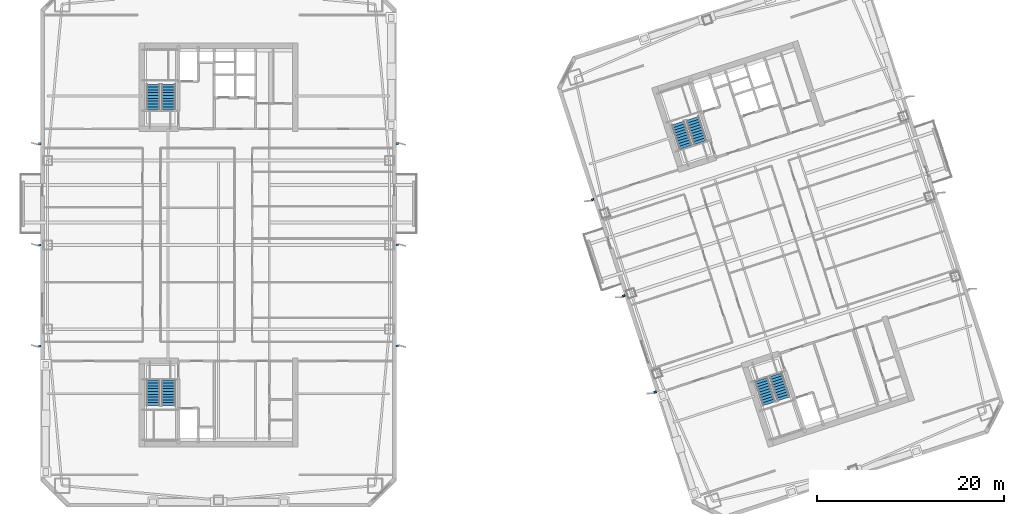
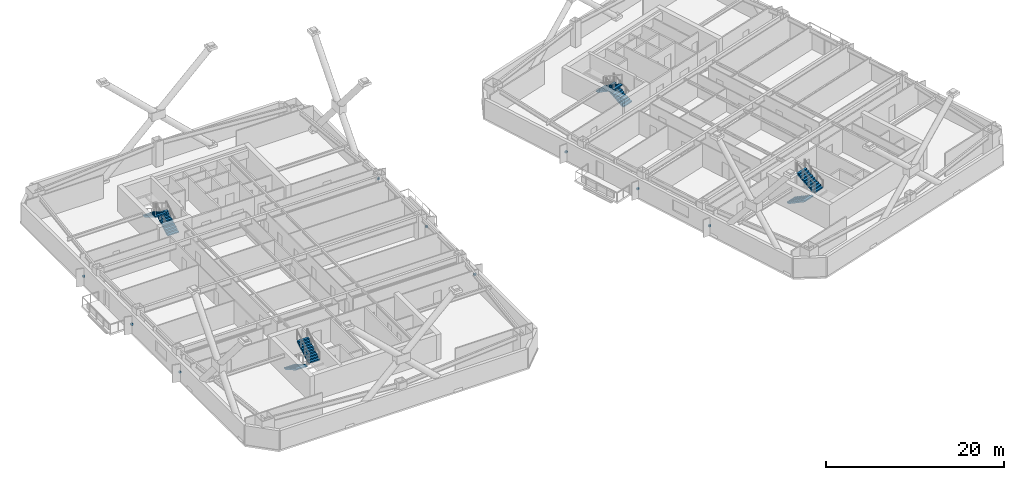
# One storey, part 18 of 24: 9 discrete accessories, 8 stair flights, 4 elements without a shape of their own.
"""IFC4 building model written with IfcOpenShell, lengths in metres."""

from ifc_helpers import new_model, si_unit, direction, frame, origin, origin_2d, place, context, subcontext, project, spatial, polyline, rectangle, outline, extrude, material, type_object, element, aggregate, save


model = new_model("IFC4")

# Units and contexts
model_context = context("Model", 3, precision=1e-05, world=origin(), true_north=direction((0.0, 1.0)))
body_context = subcontext(model_context, "Body", "Model", "MODEL_VIEW")
ifc_project = project(units=[si_unit("LENGTHUNIT", "METRE"), si_unit("AREAUNIT", "SQUARE_METRE"), si_unit("VOLUMEUNIT", "CUBIC_METRE"), si_unit("PLANEANGLEUNIT", "RADIAN"), si_unit("MASSUNIT", "GRAM", prefix="KILO")], contexts=[model_context])

# Site, building, storey
site_placement = place(None, origin())
site = spatial("IfcSite", under=ifc_project, at=site_placement, CompositionType="ELEMENT")
building_placement = place(site_placement, origin())
building = spatial("IfcBuilding", under=site, at=building_placement, Name="Qiaolan Cultural Towers", CompositionType="ELEMENT")
storey_placement = place(building_placement, frame((0.0, 0.0, 120.75)))
storey = spatial("IfcBuildingStorey", under=building, at=storey_placement, Name="L31", CompositionType="ELEMENT", Elevation=120.75)

# Stair, stair flights
ifc_material_1 = material(Name="Concrete C45", Category="concrete")
stair_type = type_object("IfcStairType", Name="STR-CORE-1500", PredefinedType="HALF_TURN_STAIR", material=ifc_material_1)
stair_1_placement = place(storey_placement, origin())
stair_1 = element("IfcStair", 1, at=stair_1_placement, inside=storey, type_object=stair_type, Name="L31 Smokeproof Exit Stair ST-W1", PredefinedType="HALF_TURN_STAIR")
ifc_material_2 = material(Name="Concrete C45", Category="concrete")
stair_flight_type = type_object("IfcStairFlightType", Name="STR-CORE-1500-FL", PredefinedType="STRAIGHT", material=ifc_material_2)
stair_flight_1_placement = place(storey_placement, frame((23.02001953125, 19.550048828125, 0.0), z_axis=(0.0, 0.0, 1.0), x_axis=(0.0, -1.0, 0.0)))
stair_flight_1 = element("IfcStairFlight", 2, at=stair_flight_1_placement, type_object=stair_flight_type, Name="ST-W1 flight 1", NumberOfRisers=10, NumberOfTreads=9, PredefinedType="STRAIGHT", RiserHeight=0.1725, TreadLength=0.3, context=body_context, shape_type="SweptSolid", body=[
    extrude(outline(polyline([(0.0, 0.0), (0.0, 0.172607421875), (0.300048828125, 0.172607421875), (0.300048828125, 0.344970703125), (0.60009765625, 0.344970703125), (0.60009765625, 0.517578125), (0.89990234375, 0.517578125), (0.89990234375, 0.68994140625), (1.199951171875, 0.68994140625), (1.199951171875, 0.862548828125), (1.5, 0.862548828125), (1.5, 1.034912109375), (1.800048828125, 1.034912109375), (1.800048828125, 1.20751953125), (2.10009765625, 1.20751953125), (2.10009765625, 1.3798828125), (2.39990234375, 1.3798828125), (2.39990234375, 1.552490234375), (2.699951171875, 1.552490234375), (2.699951171875, 1.72509765625), (2.699951171875, 1.379638671875), (0.30078125, 0.0), (0.0, 0.0)])), frame((0.0, 0.719970703125, 0.0), z_axis=(0.0, -1.0, 0.0), x_axis=(1.0, 0.0, 0.0)), (0.0, 0.0, 1.0), 1.43994140625),
])
stair_flight_2_placement = place(storey_placement, frame((24.659912109375, 16.85009765625, 1.72509765625), z_axis=(0.0, 0.0, 1.0), x_axis=(0.0, 1.0, 0.0)))
stair_flight_2 = element("IfcStairFlight", 3, at=stair_flight_2_placement, type_object=stair_flight_type, Name="ST-W1 flight 2", NumberOfRisers=10, NumberOfTreads=9, PredefinedType="STRAIGHT", RiserHeight=0.1725, TreadLength=0.3, context=body_context, shape_type="SweptSolid", body=[
    extrude(outline(polyline([(0.0, 0.0), (0.0, 0.172607421875), (0.300048828125, 0.172607421875), (0.300048828125, 0.344970703125), (0.60009765625, 0.344970703125), (0.60009765625, 0.517578125), (0.89990234375, 0.517578125), (0.89990234375, 0.68994140625), (1.199951171875, 0.68994140625), (1.199951171875, 0.862548828125), (1.5, 0.862548828125), (1.5, 1.034912109375), (1.800048828125, 1.034912109375), (1.800048828125, 1.20751953125), (2.10009765625, 1.20751953125), (2.10009765625, 1.3798828125), (2.39990234375, 1.3798828125), (2.39990234375, 1.552490234375), (2.699951171875, 1.552490234375), (2.699951171875, 1.72509765625), (2.699951171875, 1.379638671875), (0.30078125, 0.0), (0.0, 0.0)])), frame((0.0, 0.719970703125, 0.0), z_axis=(0.0, -1.0, 0.0), x_axis=(1.0, 0.0, 0.0)), (0.0, 0.0, 1.0), 1.43994140625),
])
aggregate(stair_1, [stair_flight_1, stair_flight_2])

stair_2_placement = place(storey_placement, origin())
stair_2 = element("IfcStair", 4, at=stair_2_placement, inside=storey, type_object=stair_type, Name="L31 Smokeproof Exit Stair ST-W2", PredefinedType="HALF_TURN_STAIR")
stair_flight_3_placement = place(storey_placement, frame((24.659912109375, 48.449951171875, 0.0), z_axis=(0.0, 0.0, 1.0), x_axis=(0.0, 1.0, 0.0)))
stair_flight_3 = element("IfcStairFlight", 5, at=stair_flight_3_placement, type_object=stair_flight_type, Name="ST-W2 flight 1", NumberOfRisers=10, NumberOfTreads=9, PredefinedType="STRAIGHT", RiserHeight=0.1725, TreadLength=0.3, context=body_context, shape_type="SweptSolid", body=[
    extrude(outline(polyline([(0.0, 0.0), (0.0, 0.172607421875), (0.300048828125, 0.172607421875), (0.300048828125, 0.344970703125), (0.60009765625, 0.344970703125), (0.60009765625, 0.517578125), (0.89990234375, 0.517578125), (0.89990234375, 0.68994140625), (1.199951171875, 0.68994140625), (1.199951171875, 0.862548828125), (1.5, 0.862548828125), (1.5, 1.034912109375), (1.800048828125, 1.034912109375), (1.800048828125, 1.20751953125), (2.10009765625, 1.20751953125), (2.10009765625, 1.3798828125), (2.39990234375, 1.3798828125), (2.39990234375, 1.552490234375), (2.699951171875, 1.552490234375), (2.699951171875, 1.72509765625), (2.699951171875, 1.379638671875), (0.30078125, 0.0), (0.0, 0.0)])), frame((0.0, 0.719970703125, 0.0), z_axis=(0.0, -1.0, 0.0), x_axis=(1.0, 0.0, 0.0)), (0.0, 0.0, 1.0), 1.43994140625),
])
stair_flight_4_placement = place(storey_placement, frame((23.02001953125, 51.14990234375, 1.72509765625), z_axis=(0.0, 0.0, 1.0), x_axis=(0.0, -1.0, 0.0)))
stair_flight_4 = element("IfcStairFlight", 6, at=stair_flight_4_placement, type_object=stair_flight_type, Name="ST-W2 flight 2", NumberOfRisers=10, NumberOfTreads=9, PredefinedType="STRAIGHT", RiserHeight=0.1725, TreadLength=0.3, context=body_context, shape_type="SweptSolid", body=[
    extrude(outline(polyline([(0.0, 0.0), (0.0, 0.172607421875), (0.300048828125, 0.172607421875), (0.300048828125, 0.344970703125), (0.60009765625, 0.344970703125), (0.60009765625, 0.517578125), (0.89990234375, 0.517578125), (0.89990234375, 0.68994140625), (1.199951171875, 0.68994140625), (1.199951171875, 0.862548828125), (1.5, 0.862548828125), (1.5, 1.034912109375), (1.800048828125, 1.034912109375), (1.800048828125, 1.20751953125), (2.10009765625, 1.20751953125), (2.10009765625, 1.3798828125), (2.39990234375, 1.3798828125), (2.39990234375, 1.552490234375), (2.699951171875, 1.552490234375), (2.699951171875, 1.72509765625), (2.699951171875, 1.379638671875), (0.30078125, 0.0), (0.0, 0.0)])), frame((0.0, 0.719970703125, 0.0), z_axis=(0.0, -1.0, 0.0), x_axis=(1.0, 0.0, 0.0)), (0.0, 0.0, 1.0), 1.43994140625),
])
aggregate(stair_2, [stair_flight_3, stair_flight_4])

stair_3_placement = place(storey_placement, origin())
stair_3 = element("IfcStair", 7, at=stair_3_placement, inside=storey, type_object=stair_type, Name="L31 Smokeproof Exit Stair ST-E1", PredefinedType="HALF_TURN_STAIR")
stair_flight_5_placement = place(storey_placement, frame((87.96484375, 19.6171875, 0.0), z_axis=(0.0, 0.0, 1.0), x_axis=(0.309016994375, -0.951056516295, 0.0)))
stair_flight_5 = element("IfcStairFlight", 8, at=stair_flight_5_placement, type_object=stair_flight_type, Name="ST-E1 flight 1", NumberOfRisers=10, NumberOfTreads=9, PredefinedType="STRAIGHT", RiserHeight=0.1725, TreadLength=0.3, context=body_context, shape_type="SweptSolid", body=[
    extrude(outline(polyline([(0.0, 0.0), (0.0, 0.172607421875), (0.300048828125, 0.172607421875), (0.300048828125, 0.344970703125), (0.60009765625, 0.344970703125), (0.60009765625, 0.517578125), (0.89990234375, 0.517578125), (0.89990234375, 0.68994140625), (1.199951171875, 0.68994140625), (1.199951171875, 0.862548828125), (1.5, 0.862548828125), (1.5, 1.034912109375), (1.800048828125, 1.034912109375), (1.800048828125, 1.20751953125), (2.10009765625, 1.20751953125), (2.10009765625, 1.3798828125), (2.39990234375, 1.3798828125), (2.39990234375, 1.552490234375), (2.699951171875, 1.552490234375), (2.699951171875, 1.72509765625), (2.699951171875, 1.379638671875), (0.30078125, 0.0), (0.0, 0.0)])), frame((0.0, 0.719970703125, 0.0), z_axis=(0.0, -1.0, 0.0), x_axis=(1.0, 0.0, 0.0)), (0.0, 0.0, 1.0), 1.43994140625),
])
stair_flight_6_placement = place(storey_placement, frame((90.359130859375, 17.55615234375, 1.72509765625), z_axis=(0.0, 0.0, 1.0), x_axis=(-0.309016994375, 0.951056516295, 0.0)))
stair_flight_6 = element("IfcStairFlight", 9, at=stair_flight_6_placement, type_object=stair_flight_type, Name="ST-E1 flight 2", NumberOfRisers=10, NumberOfTreads=9, PredefinedType="STRAIGHT", RiserHeight=0.1725, TreadLength=0.3, context=body_context, shape_type="SweptSolid", body=[
    extrude(outline(polyline([(0.0, 0.0), (0.0, 0.172607421875), (0.300048828125, 0.172607421875), (0.300048828125, 0.344970703125), (0.60009765625, 0.344970703125), (0.60009765625, 0.517578125), (0.89990234375, 0.517578125), (0.89990234375, 0.68994140625), (1.199951171875, 0.68994140625), (1.199951171875, 0.862548828125), (1.5, 0.862548828125), (1.5, 1.034912109375), (1.800048828125, 1.034912109375), (1.800048828125, 1.20751953125), (2.10009765625, 1.20751953125), (2.10009765625, 1.3798828125), (2.39990234375, 1.3798828125), (2.39990234375, 1.552490234375), (2.699951171875, 1.552490234375), (2.699951171875, 1.72509765625), (2.699951171875, 1.379638671875), (0.30078125, 0.0), (0.0, 0.0)])), frame((0.0, 0.719970703125, 0.0), z_axis=(0.0, -1.0, 0.0), x_axis=(1.0, 0.0, 0.0)), (0.0, 0.0, 1.0), 1.43994140625),
])
aggregate(stair_3, [stair_flight_5, stair_flight_6])

stair_4_placement = place(storey_placement, origin())
stair_4 = element("IfcStair", 10, at=stair_4_placement, inside=storey, type_object=stair_type, Name="L31 Smokeproof Exit Stair ST-E2", PredefinedType="HALF_TURN_STAIR")
stair_flight_7_placement = place(storey_placement, frame((81.459228515625, 44.946533203125, 0.0), z_axis=(0.0, 0.0, 1.0), x_axis=(-0.309016994375, 0.951056516295, 0.0)))
stair_flight_7 = element("IfcStairFlight", 11, at=stair_flight_7_placement, type_object=stair_flight_type, Name="ST-E2 flight 1", NumberOfRisers=10, NumberOfTreads=9, PredefinedType="STRAIGHT", RiserHeight=0.1725, TreadLength=0.3, context=body_context, shape_type="SweptSolid", body=[
    extrude(outline(polyline([(0.0, 0.0), (0.0, 0.172607421875), (0.300048828125, 0.172607421875), (0.300048828125, 0.344970703125), (0.60009765625, 0.344970703125), (0.60009765625, 0.517578125), (0.89990234375, 0.517578125), (0.89990234375, 0.68994140625), (1.199951171875, 0.68994140625), (1.199951171875, 0.862548828125), (1.5, 0.862548828125), (1.5, 1.034912109375), (1.800048828125, 1.034912109375), (1.800048828125, 1.20751953125), (2.10009765625, 1.20751953125), (2.10009765625, 1.3798828125), (2.39990234375, 1.3798828125), (2.39990234375, 1.552490234375), (2.699951171875, 1.552490234375), (2.699951171875, 1.72509765625), (2.699951171875, 1.379638671875), (0.30078125, 0.0), (0.0, 0.0)])), frame((0.0, 0.719970703125, 0.0), z_axis=(0.0, -1.0, 0.0), x_axis=(1.0, 0.0, 0.0)), (0.0, 0.0, 1.0), 1.43994140625),
])
stair_flight_8_placement = place(storey_placement, frame((79.065185546875, 47.007568359375, 1.72509765625), z_axis=(0.0, 0.0, 1.0), x_axis=(0.309016994375, -0.951056516295, 0.0)))
stair_flight_8 = element("IfcStairFlight", 12, at=stair_flight_8_placement, type_object=stair_flight_type, Name="ST-E2 flight 2", NumberOfRisers=10, NumberOfTreads=9, PredefinedType="STRAIGHT", RiserHeight=0.1725, TreadLength=0.3, context=body_context, shape_type="SweptSolid", body=[
    extrude(outline(polyline([(0.0, 0.0), (0.0, 0.172607421875), (0.300048828125, 0.172607421875), (0.300048828125, 0.344970703125), (0.60009765625, 0.344970703125), (0.60009765625, 0.517578125), (0.89990234375, 0.517578125), (0.89990234375, 0.68994140625), (1.199951171875, 0.68994140625), (1.199951171875, 0.862548828125), (1.5, 0.862548828125), (1.5, 1.034912109375), (1.800048828125, 1.034912109375), (1.800048828125, 1.20751953125), (2.10009765625, 1.20751953125), (2.10009765625, 1.3798828125), (2.39990234375, 1.3798828125), (2.39990234375, 1.552490234375), (2.699951171875, 1.552490234375), (2.699951171875, 1.72509765625), (2.699951171875, 1.379638671875), (0.30078125, 0.0), (0.0, 0.0)])), frame((0.0, 0.719970703125, 0.0), z_axis=(0.0, -1.0, 0.0), x_axis=(1.0, 0.0, 0.0)), (0.0, 0.0, 1.0), 1.43994140625),
])
aggregate(stair_4, [stair_flight_7, stair_flight_8])

# Discrete accessories
ifc_material_3 = material(Name="Stainless Steel S31608 Facade Anchor Bracket", Category="steel")
discrete_accessory_type = type_object("IfcDiscreteAccessoryType", Name="ACC-BRK-SS", PredefinedType="BRACKET", material=ifc_material_3)
for number, where, z_axis, x_axis, name in (
    (13, (10.919921875, 23.199951171875, 1.18505859375), (0.0, 0.0, 1.0), (1.0, 0.0, 0.0), "L31 T1 Facade Fin Anchor Bracket W1"),
    (14, (10.919921875, 34.0, 1.18505859375), (0.0, 0.0, 1.0), (1.0, 0.0, 0.0), "L31 T1 Facade Fin Anchor Bracket W2"),
    (15, (10.919921875, 44.800048828125, 1.18505859375), (0.0, 0.0, 1.0), (1.0, 0.0, 0.0), "L31 T1 Facade Fin Anchor Bracket W3"),
    (16, (49.080078125, 23.199951171875, 1.18505859375), (0.0, 0.0, 1.0), (1.0, 0.0, 0.0), "L31 T1 Facade Fin Anchor Bracket E1"),
    (17, (49.080078125, 34.0, 1.18505859375), (0.0, 0.0, 1.0), (1.0, 0.0, 0.0), "L31 T1 Facade Fin Anchor Bracket E2"),
    (18, (49.080078125, 44.800048828125, 1.18505859375), (0.0, 0.0, 1.0), (1.0, 0.0, 0.0), "L31 T1 Facade Fin Anchor Bracket E3"),
    (19, (76.617919921875, 18.296142578125, 1.18505859375), (0.0, 0.0, 1.0), (0.951056516295, 0.309016994375, 0.0), "L31 T2 Facade Fin Anchor Bracket W1"),
    (20, (73.280517578125, 28.5673828125, 1.18505859375), (0.0, 0.0, 1.0), (0.951056516295, 0.309016994375, 0.0), "L31 T2 Facade Fin Anchor Bracket W2"),
    (21, (69.943115234375, 38.8388671875, 1.18505859375), (0.0, 0.0, 1.0), (0.951056516295, 0.309016994375, 0.0), "L31 T2 Facade Fin Anchor Bracket W3"),
):
    element("IfcDiscreteAccessory", number, at=place(storey_placement, frame(where, z_axis=z_axis, x_axis=x_axis)), inside=storey, type_object=discrete_accessory_type, Name=name, PredefinedType="BRACKET", context=body_context, shape_type="SweptSolid", body=[
        extrude(rectangle(XDim=0.280029296875, YDim=0.219970703125, at=origin_2d()), origin(), (0.0, 0.0, 1.0), 0.239990234375),
    ])

save(model, "model.ifc")
